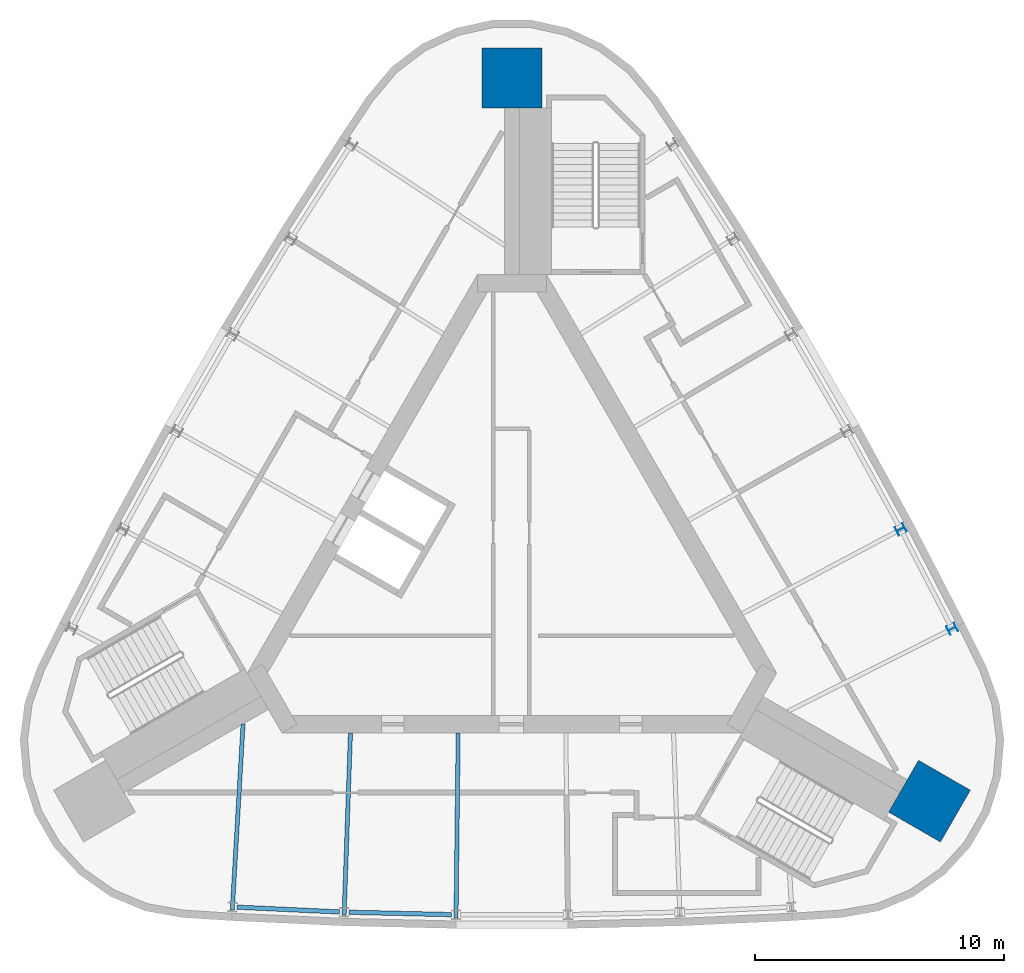
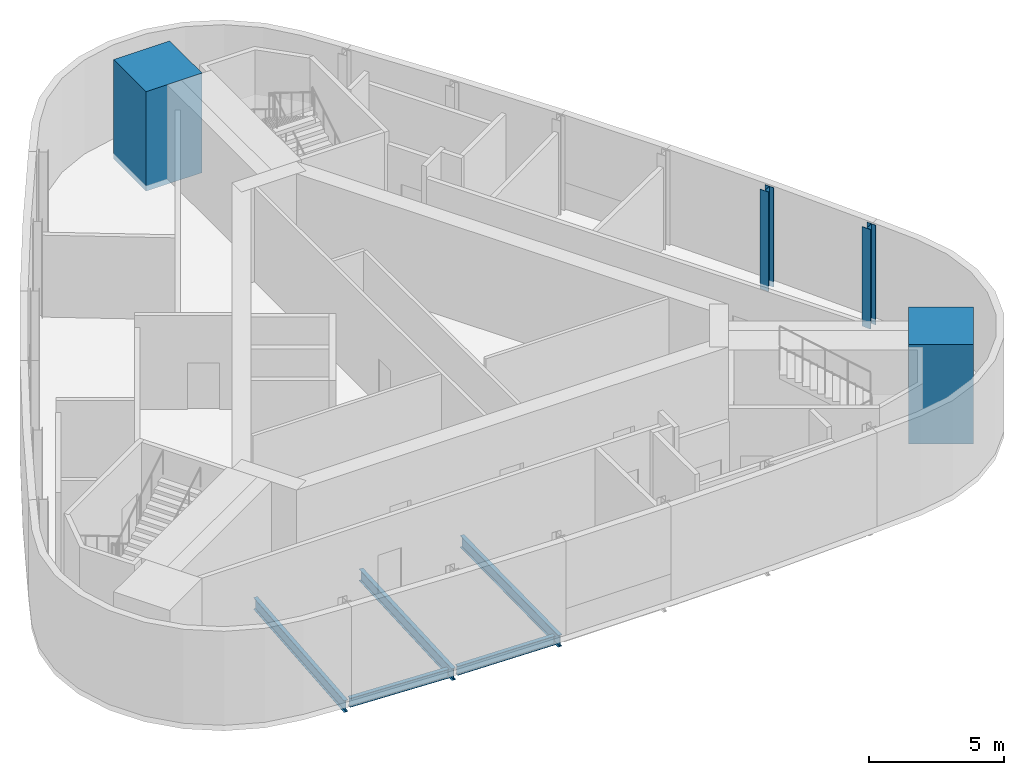
# One storey, part 2 of 7: 5 beams, 4 columns.
"""IFC4 building model written with IfcOpenShell, lengths in metres."""

from ifc_helpers import new_model, si_unit, direction, frame, origin, origin_2d, place, context, subcontext, project, spatial, rectangle, i_section, extrude, material, material_profile, profile_set, type_object, element, save


model = new_model("IFC4")

# Units and contexts
model_context = context("Model", 3, precision=1e-05, world=origin(), true_north=direction((0.0, 1.0)))
body_context = subcontext(model_context, "Body", "Model", "MODEL_VIEW")
ifc_project = project(units=[si_unit("LENGTHUNIT", "METRE"), si_unit("AREAUNIT", "SQUARE_METRE"), si_unit("VOLUMEUNIT", "CUBIC_METRE"), si_unit("PLANEANGLEUNIT", "RADIAN"), si_unit("MASSUNIT", "GRAM", prefix="KILO")], contexts=[model_context])

# Site, building, storey
site_placement = place(None, origin())
site = spatial("IfcSite", under=ifc_project, at=site_placement, CompositionType="ELEMENT")
building_placement = place(site_placement, origin())
building = spatial("IfcBuilding", under=site, at=building_placement, Name="Noor Cloister Tower", CompositionType="ELEMENT")
storey_placement = place(building_placement, frame((0.0, 0.0, 302.10009765625)))
storey = spatial("IfcBuildingStorey", under=building, at=storey_placement, Name="L76", CompositionType="ELEMENT", Elevation=302.10009765625)

# Columns
ifc_material_1 = material(Name="Steel ASTM A992 Gr 50", Category="steel")
ifc_material_profile_1 = material_profile(ifc_material_1, i_section(OverallWidth=0.367919921875, OverallDepth=0.35595703125, WebThickness=0.01123046875, FlangeThickness=0.01806640625, FilletRadius=0.015380859375, at=origin_2d()), Name="W360x134")
ifc_profile_set_1 = profile_set([ifc_material_profile_1], Name="Steel ASTM A992 Gr 50")
column_type_1 = type_object("IfcColumnType", Name="Column W360x134", PredefinedType="COLUMN", material=ifc_profile_set_1)
for number, where, z_axis, x_axis, name in (
    (1, (17.653564453125, -2.75390625, -0.25), (0.0, 0.0, 1.0), (-0.448974965035, 0.893544336209, 0.0), "Column NE 01 L76"),
    (2, (15.592529296875, 1.231689453125, -0.25), (0.0, 0.0, 1.0), (-0.469575774469, 0.882892174635, 0.0), "Column NE 02 L76"),
):
    element("IfcColumn", number, at=place(storey_placement, frame(where, z_axis=z_axis, x_axis=x_axis)), inside=storey, type_object=column_type_1, Name=name, PredefinedType="COLUMN", context=body_context, shape_type="SweptSolid", body=[
        extrude(i_section(OverallWidth=0.367919921875, OverallDepth=0.35595703125, WebThickness=0.01123046875, FlangeThickness=0.01806640625, FilletRadius=0.015380859375, at=origin_2d()), origin(), (0.0, 0.0, 1.0), 4.5),
    ])
ifc_material_2 = material(Name="Concrete C50/60", Category="concrete")
ifc_material_profile_2 = material_profile(ifc_material_2, rectangle(XDim=2.39990234375, YDim=2.39990234375, at=origin_2d()), Name="RC 2400x2400")
ifc_profile_set_2 = profile_set([ifc_material_profile_2], Name="Concrete C50/60")
column_type_2 = type_object("IfcColumnType", Name="Corner pier 2400 x 2400 C50/60", PredefinedType="COLUMN", material=ifc_profile_set_2)
for number, where, z_axis, x_axis, name in (
    (3, (0.0, 19.3349609375, -0.25), (0.0, 0.0, 1.0), (0.0, 1.0, 0.0), "Corner pier N L76"),
    (4, (16.74462890625, -9.66748046875, -0.25), (0.0, 0.0, 1.0), (0.866025403784, -0.5, 0.0), "Corner pier SE L76"),
):
    element("IfcColumn", number, at=place(storey_placement, frame(where, z_axis=z_axis, x_axis=x_axis)), inside=storey, type_object=column_type_2, Name=name, PredefinedType="COLUMN", context=body_context, shape_type="SweptSolid", body=[
        extrude(rectangle(XDim=2.39990234375, YDim=2.39990234375, at=origin_2d()), origin(), (0.0, 0.0, 1.0), 4.5),
    ])

# Beams
ifc_material_3 = material(Name="Steel ASTM A992 Gr 50", Category="steel")
ifc_material_profile_3 = material_profile(ifc_material_3, i_section(OverallWidth=0.166015625, OverallDepth=0.528076171875, WebThickness=0.009765625, FlangeThickness=0.013671875, FilletRadius=0.0126953125, at=origin_2d()), Name="W530x74")
ifc_profile_set_3 = profile_set([ifc_material_profile_3], Name="Steel ASTM A992 Gr 50")
beam_type_1 = type_object("IfcBeamType", Name="Radial beam W530x74", PredefinedType="BEAM", material=ifc_profile_set_3)
beam_1_placement = place(storey_placement, frame((-11.218994140625, -14.033203125, -0.51416015625), z_axis=(0.057963519573, 0.998318701818, 0.0), x_axis=(-0.998318701818, 0.057963519573, 0.0)))
element("IfcBeam", 5, at=beam_1_placement, inside=storey, type_object=beam_type_1, Name="Radial beam S 01 L76", PredefinedType="BEAM", context=body_context, shape_type="SweptSolid", body=[
    extrude(i_section(OverallWidth=0.166015625, OverallDepth=0.528076171875, WebThickness=0.009765625, FlangeThickness=0.013671875, FilletRadius=0.0126953125, at=origin_2d()), origin(), (0.0, 0.0, 1.0), 7.471923828125),
])
beam_2_placement = place(storey_placement, frame((-6.733642578125, -14.241455078125, -0.51416015625), z_axis=(0.034764484893, 0.999395532605, 0.0), x_axis=(-0.999395532605, 0.034764484893, 0.0)))
element("IfcBeam", 6, at=beam_2_placement, inside=storey, type_object=beam_type_1, Name="Radial beam S 02 L76", PredefinedType="BEAM", context=body_context, shape_type="SweptSolid", body=[
    extrude(i_section(OverallWidth=0.166015625, OverallDepth=0.528076171875, WebThickness=0.009765625, FlangeThickness=0.013671875, FilletRadius=0.0126953125, at=origin_2d()), origin(), (0.0, 0.0, 1.0), 7.317626953125),
])
beam_3_placement = place(storey_placement, frame((-2.244873046875, -14.345458984375, -0.51416015625), z_axis=(0.011585411151, 0.999932886872, 0.0), x_axis=(-0.999932886872, 0.011585411151, 0.0)))
element("IfcBeam", 7, at=beam_3_placement, inside=storey, type_object=beam_type_1, Name="Radial beam S 03 L76", PredefinedType="BEAM", context=body_context, shape_type="SweptSolid", body=[
    extrude(i_section(OverallWidth=0.166015625, OverallDepth=0.528076171875, WebThickness=0.009765625, FlangeThickness=0.013671875, FilletRadius=0.0126953125, at=origin_2d()), origin(), (0.0, 0.0, 1.0), 7.417724609375),
])
ifc_material_4 = material(Name="Steel ASTM A992 Gr 50", Category="steel")
ifc_material_profile_4 = material_profile(ifc_material_4, i_section(OverallWidth=0.177978515625, OverallDepth=0.406005859375, WebThickness=0.0078125, FlangeThickness=0.0126953125, FilletRadius=0.01025390625, at=origin_2d()), Name="W410x60")
ifc_profile_set_4 = profile_set([ifc_material_profile_4], Name="Steel ASTM A992 Gr 50")
beam_type_2 = type_object("IfcBeamType", Name="Spandrel beam W410x60", PredefinedType="SPANDREL", material=ifc_profile_set_4)
beam_4_placement = place(storey_placement, frame((-11.028076171875, -13.919921875, -0.453125), z_axis=(0.998925325351, -0.046348617801, 0.0), x_axis=(0.046348617801, 0.998925325351, 0.0)))
element("IfcBeam", 8, at=beam_4_placement, inside=storey, type_object=beam_type_2, Name="Spandrel beam S 01 L76", PredefinedType="SPANDREL", context=body_context, shape_type="SweptSolid", body=[
    extrude(i_section(OverallWidth=0.177978515625, OverallDepth=0.406005859375, WebThickness=0.0078125, FlangeThickness=0.0126953125, FilletRadius=0.01025390625, at=origin_2d()), origin(), (0.0, 0.0, 1.0), 4.119140625),
])
beam_5_placement = place(storey_placement, frame((-6.545654296875, -14.123779296875, -0.453125), z_axis=(0.999731452345, -0.023173760841, 0.0), x_axis=(0.023173760841, 0.999731452345, 0.0)))
element("IfcBeam", 9, at=beam_5_placement, inside=storey, type_object=beam_type_2, Name="Spandrel beam S 02 L76", PredefinedType="SPANDREL", context=body_context, shape_type="SweptSolid", body=[
    extrude(i_section(OverallWidth=0.177978515625, OverallDepth=0.406005859375, WebThickness=0.0078125, FlangeThickness=0.0126953125, FilletRadius=0.01025390625, at=origin_2d()), origin(), (0.0, 0.0, 1.0), 4.119384765625),
])

save(model, "model.ifc")
